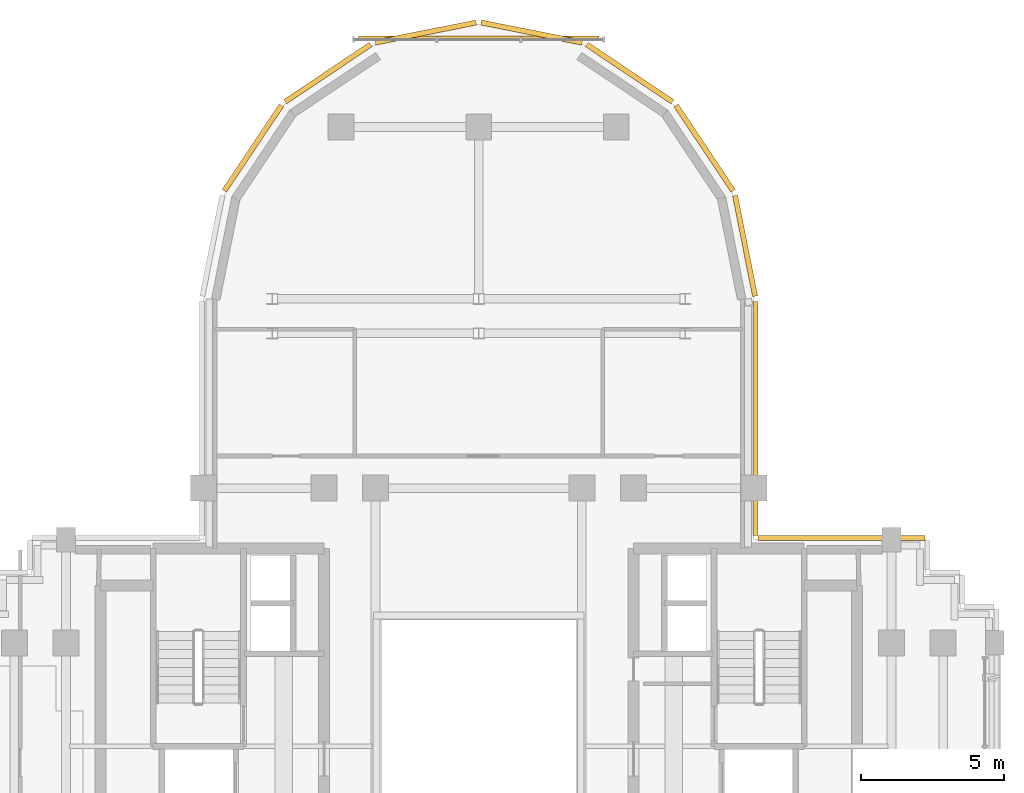
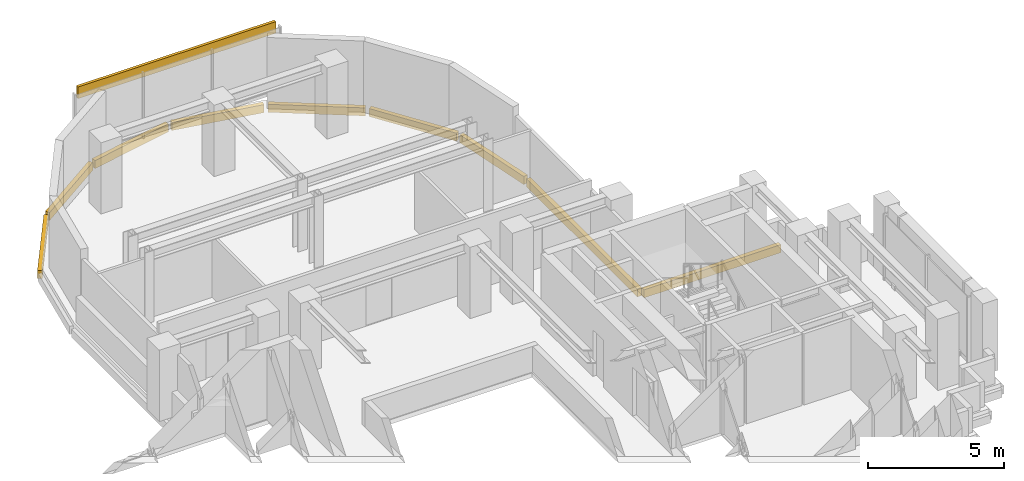
# One storey, part 11 of 11: 10 coverings.
"""IFC4 building model written with IfcOpenShell, lengths in metres."""

from ifc_helpers import new_model, si_unit, direction, frame, origin, origin_2d, place, context, subcontext, project, spatial, rectangle, extrude, source, transform, mapped, material, layer, layer_set, type_object, element, save


model = new_model("IFC4")

# Units and contexts
model_context = context("Model", 3, precision=1e-05, world=origin(), true_north=direction((0.0, 1.0)))
body_context = subcontext(model_context, "Body", "Model", "MODEL_VIEW")
ifc_project = project(units=[si_unit("LENGTHUNIT", "METRE"), si_unit("AREAUNIT", "SQUARE_METRE"), si_unit("VOLUMEUNIT", "CUBIC_METRE"), si_unit("PLANEANGLEUNIT", "RADIAN"), si_unit("MASSUNIT", "GRAM", prefix="KILO")], contexts=[model_context])

# Site, building, storey
site_placement = place(None, origin())
site = spatial("IfcSite", under=ifc_project, at=site_placement, CompositionType="ELEMENT")
building_placement = place(site_placement, origin())
building = spatial("IfcBuilding", under=site, at=building_placement, Name="Keilestroom Media Tower", CompositionType="ELEMENT")
storey_placement = place(building_placement, frame((0.0, 0.0, 170.60009765625)))
storey = spatial("IfcBuildingStorey", under=building, at=storey_placement, Name="L46", CompositionType="ELEMENT", Elevation=170.60009765625)

# Coverings
ifc_material = material(Name="Precast concrete C40/50", Category="concrete")
ifc_layer = layer(ifc_material, 0.1201171875)
ifc_layer_set = layer_set([ifc_layer], Name="Precast concrete C40/50")
covering_type = type_object("IfcCoveringType", Name="Exterior-Precast-Spandrel-Cladding-Panel-120", PredefinedType="CLADDING", material=ifc_layer_set)
shared_shape_1 = source(origin(), body_context, "Body", "SweptSolid", [
    extrude(rectangle(XDim=8.39990234375, YDim=0.1201171875, at=origin_2d()), origin(), (0.0, 0.0, 1.0), 0.52001953125),
])
covering_1_placement = place(storey_placement, frame((0.0, 24.719970703125, 2.68994140625), z_axis=(0.0, 0.0, 1.0), x_axis=(1.0, 0.0, 0.0)))
element("IfcCovering", 1, at=covering_1_placement, inside=storey, type_object=covering_type, Name="L46 Precast Spandrel Cladding N", PredefinedType="CLADDING", context=body_context, shape_type="MappedRepresentation", body=[
    mapped(shared_shape_1, transform((0.0, 0.0, 0.0), x_axis=(1.0, 0.0, 0.0), y_axis=(0.0, 1.0, 0.0), z_axis=(0.0, 0.0, 1.0), scale=1.0)),
])
shared_shape_2 = source(origin(), body_context, "Body", "SweptSolid", [
    extrude(rectangle(XDim=8.166015625, YDim=0.179931640625, at=origin_2d()), origin(), (0.0, 0.0, 1.0), 0.360107421875),
])
covering_2_placement = place(storey_placement, frame((9.659912109375, 11.43310546875, -0.5400390625), z_axis=(0.0, 0.0, 1.0), x_axis=(0.0, -1.0, 0.0)))
element("IfcCovering", 2, at=covering_2_placement, inside=storey, type_object=covering_type, Name="L46 Precast Slab-Edge Fascia Cornice 36", PredefinedType="CLADDING", context=body_context, shape_type="MappedRepresentation", body=[
    mapped(shared_shape_2, transform((0.0, 0.0, 0.0), x_axis=(1.0, 0.0, 0.0), y_axis=(0.0, 1.0, 0.0), z_axis=(0.0, 0.0, 1.0), scale=1.0)),
])
shared_shape_3 = source(origin(), body_context, "Body", "SweptSolid", [
    extrude(rectangle(XDim=3.58349609375, YDim=0.179931640625, at=origin_2d()), origin(), (0.0, 0.0, 1.0), 0.360107421875),
])
covering_3_placement = place(storey_placement, frame((9.29296875, 17.45166015625, -0.5400390625), z_axis=(0.0, 0.0, 1.0), x_axis=(0.195098880975, -0.980783577882, 0.0)))
element("IfcCovering", 3, at=covering_3_placement, inside=storey, type_object=covering_type, Name="L46 Precast Slab-Edge Fascia Cornice 35", PredefinedType="CLADDING", context=body_context, shape_type="MappedRepresentation", body=[
    mapped(shared_shape_3, transform((0.0, 0.0, 0.0), x_axis=(1.0, 0.0, 0.0), y_axis=(0.0, 1.0, 0.0), z_axis=(0.0, 0.0, 1.0), scale=1.0)),
])
shared_shape_4 = source(origin(), body_context, "Body", "SweptSolid", [
    extrude(rectangle(XDim=3.589599609375, YDim=0.179931640625, at=origin_2d()), origin(), (0.0, 0.0, 1.0), 0.360107421875),
])
for number, where, z_axis, x_axis, name in (
    (4, (-7.878662109375, 20.8642578125, -0.5400390625), (0.0, 0.0, 1.0), (0.555574586577, 0.831466703332, 0.0), "L46 Precast Slab-Edge Fascia Cornice 29"),
    (5, (-5.264404296875, 23.478515625, -0.5400390625), (0.0, 0.0, 1.0), (0.831466703332, 0.555574586577, 0.0), "L46 Precast Slab-Edge Fascia Cornice 30"),
    (6, (-1.8486328125, 24.893310546875, -0.5400390625), (0.0, 0.0, 1.0), (0.980783577882, 0.195098880975, 0.0), "L46 Precast Slab-Edge Fascia Cornice 31"),
    (7, (1.8486328125, 24.893310546875, -0.5400390625), (0.0, 0.0, 1.0), (0.980783577882, -0.195098880975, 0.0), "L46 Precast Slab-Edge Fascia Cornice 32"),
    (8, (5.264404296875, 23.478515625, -0.5400390625), (0.0, 0.0, 1.0), (0.831466703332, -0.555574586577, 0.0), "L46 Precast Slab-Edge Fascia Cornice 33"),
    (9, (7.878662109375, 20.8642578125, -0.5400390625), (0.0, 0.0, 1.0), (0.555574586577, -0.831466703332, 0.0), "L46 Precast Slab-Edge Fascia Cornice 34"),
):
    element("IfcCovering", number, at=place(storey_placement, frame(where, z_axis=z_axis, x_axis=x_axis)), inside=storey, type_object=covering_type, Name=name, PredefinedType="CLADDING", context=body_context, shape_type="MappedRepresentation", body=[
        mapped(shared_shape_4, transform((0.0, 0.0, 0.0), x_axis=(1.0, 0.0, 0.0), y_axis=(0.0, 1.0, 0.0), z_axis=(0.0, 0.0, 1.0), scale=1.0)),
    ])
shared_shape_5 = source(origin(), body_context, "Body", "SweptSolid", [
    extrude(rectangle(XDim=5.820068359375, YDim=0.179931640625, at=origin_2d()), origin(), (0.0, 0.0, 1.0), 0.360107421875),
])
covering_4_placement = place(storey_placement, frame((12.659912109375, 7.260009765625, -0.5400390625), z_axis=(0.0, 0.0, 1.0), x_axis=(1.0, 0.0, 0.0)))
element("IfcCovering", 10, at=covering_4_placement, inside=storey, type_object=covering_type, Name="L46 Precast Slab-Edge Fascia Cornice 37", PredefinedType="CLADDING", context=body_context, shape_type="MappedRepresentation", body=[
    mapped(shared_shape_5, transform((0.0, 0.0, 0.0), x_axis=(1.0, 0.0, 0.0), y_axis=(0.0, 1.0, 0.0), z_axis=(0.0, 0.0, 1.0), scale=1.0)),
])

save(model, "model.ifc")
